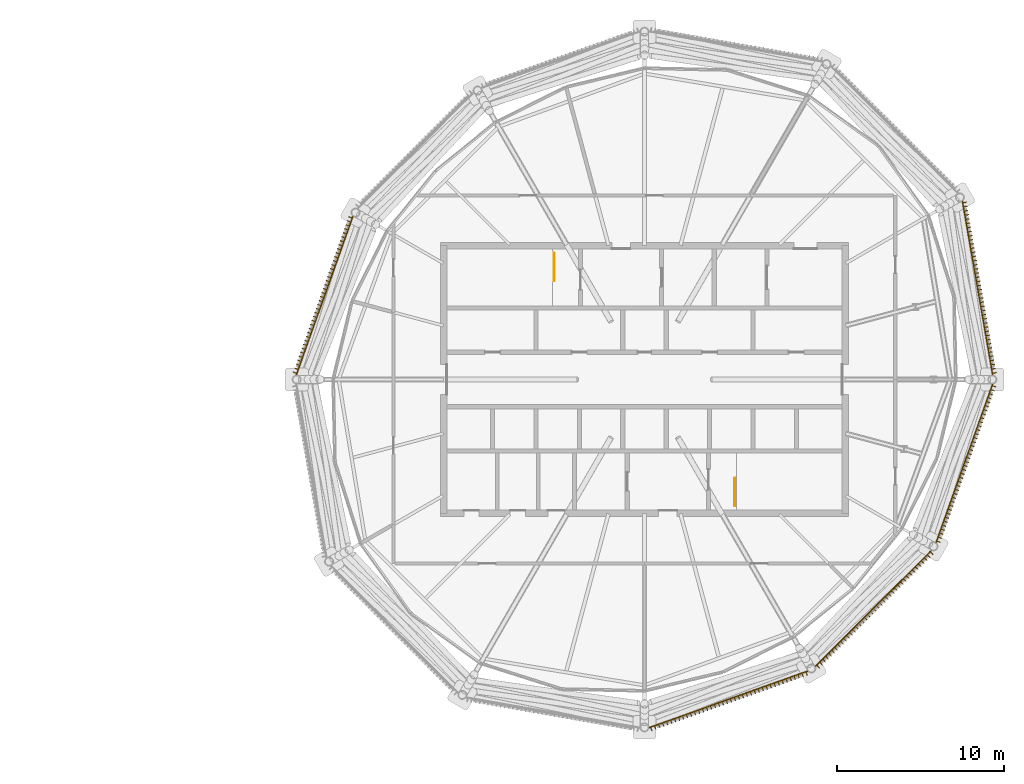
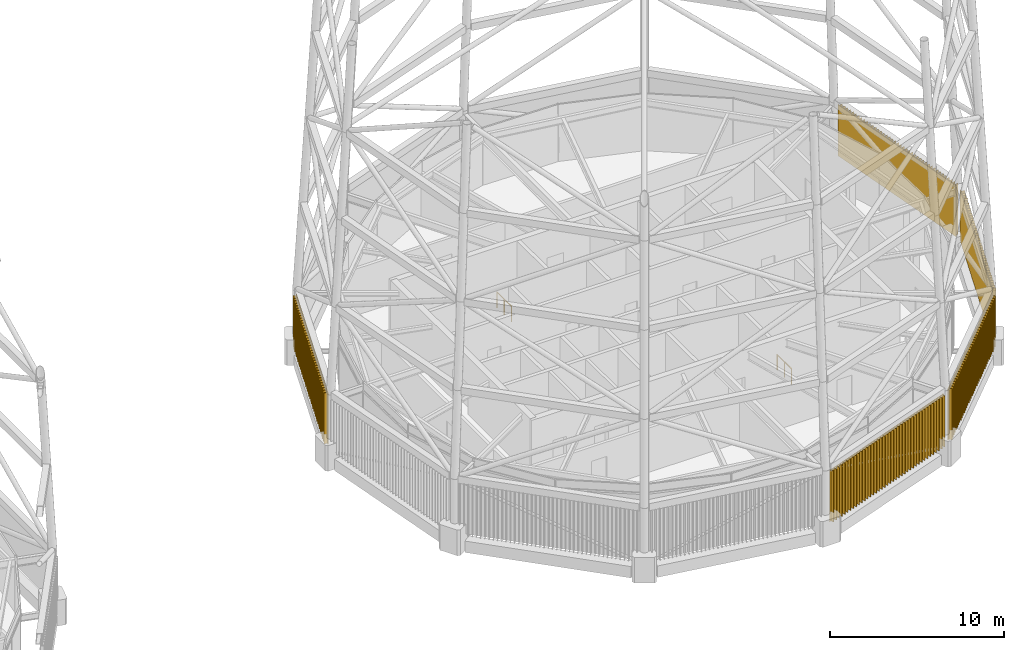
# One storey, part 70 of 71: 5 coverings, 2 railings.
"""IFC4 building model written with IfcOpenShell, lengths in metres."""

import ifcopenshell
import ifcopenshell.guid

model = None  # the IFC model being written
_history = None  # IfcOwnerHistory: only IFC2X3 demands one
_inside = {}  # id of a spatial element -> (the spatial element, [elements in it])
_under = {}  # id of a project, library or spatial element -> (it, [spatial elements below it])
_declared = {}  # id of a project -> (the project, [libraries it declares])
_typed = {}  # id of a type object -> (the type object, [elements of that type])
_made_of = {}  # id of a material, layer set ... -> (it, [elements and type objects made of it])


def new_model(schema):
    """Start an empty IFC model of exactly this schema.

    Asked for "IFC4X3", IfcOpenShell would pick the latest addendum, in which some entities
    have other attributes; the version numbers below select the first issue.
    IFC2X3 requires an IfcOwnerHistory on every rooted entity: one is made here for all.
    """
    global model, _history
    if schema == "IFC4X3":
        model = ifcopenshell.file(schema_version=(4, 3, 0, 0))
    else:
        model = ifcopenshell.file(schema=schema)
    _inside.clear()
    _under.clear()
    _declared.clear()
    _typed.clear()
    _made_of.clear()
    _history = None
    if model.schema == "IFC2X3":
        org = make("IfcOrganization", Name="unknown")
        user = make(
            "IfcPersonAndOrganization",
            ThePerson=make("IfcPerson", FamilyName="unknown"),
            TheOrganization=org,
        )
        app = make(
            "IfcApplication",
            ApplicationDeveloper=org,
            Version="unknown",
            ApplicationFullName="unknown",
            ApplicationIdentifier="unknown",
        )
        _history = make(
            "IfcOwnerHistory",
            OwningUser=user,
            OwningApplication=app,
            ChangeAction="ADDED",
            CreationDate=0,
        )
    return model


def make(cls, **values):
    """One entity of the class cls with the attributes given. An attribute that is None is left unset."""
    return model.create_entity(
        cls, **{name: value for name, value in values.items() if value is not None}
    )


def rooted(cls, **values):
    """An entity with a GlobalId (a new one), such as an element, a storey or a relation."""
    return make(cls, GlobalId=ifcopenshell.guid.new(), OwnerHistory=_history, **values)


def si_unit(unit_type, name, prefix=None):
    """IfcSIUnit, for example si_unit("LENGTHUNIT", "METRE", prefix="MILLI")."""
    return make("IfcSIUnit", UnitType=unit_type, Prefix=prefix, Name=name)


def assignment(units):
    """IfcUnitAssignment: the units of a project."""
    return None if units is None else make("IfcUnitAssignment", Units=units)


def point(xyz):
    """IfcCartesianPoint."""
    return None if xyz is None else make("IfcCartesianPoint", Coordinates=xyz)


def direction(xyz):
    """IfcDirection."""
    return None if xyz is None else make("IfcDirection", DirectionRatios=xyz)


def frame(location, z_axis=None, x_axis=None):
    """IfcAxis2Placement3D, a coordinate frame: its origin and axes. An axis left out is left unset."""
    return make(
        "IfcAxis2Placement3D",
        Location=point(location),
        Axis=direction(z_axis),
        RefDirection=direction(x_axis),
    )


def frame_2d(location, x_axis=None):
    """IfcAxis2Placement2D, a coordinate frame in the plane: its origin and x axis."""
    return make(
        "IfcAxis2Placement2D", Location=point(location), RefDirection=direction(x_axis)
    )


def origin():
    """The frame at (0, 0, 0) with its axes left unset."""
    return frame((0.0, 0.0, 0.0))


def origin_2d():
    """The frame at (0, 0) in the plane with its x axis left unset."""
    return frame_2d((0.0, 0.0))


def place(relative_to, where):
    """IfcLocalPlacement: puts the frame where relative to a parent placement (None: the world)."""
    return make(
        "IfcLocalPlacement", PlacementRelTo=relative_to, RelativePlacement=where
    )


def context(
    kind, dimensions, precision=None, world=None, true_north=None, identifier=None
):
    """IfcGeometricRepresentationContext, for example the 3D "Model" context."""
    return make(
        "IfcGeometricRepresentationContext",
        ContextIdentifier=identifier,
        ContextType=kind,
        CoordinateSpaceDimension=dimensions,
        Precision=precision,
        WorldCoordinateSystem=world,
        TrueNorth=true_north,
    )


def subcontext(parent, identifier, kind, view, scale=None):
    """IfcGeometricRepresentationSubContext, for example "Body" below "Model"."""
    return make(
        "IfcGeometricRepresentationSubContext",
        ContextIdentifier=identifier,
        ContextType=kind,
        ParentContext=parent,
        TargetScale=scale,
        TargetView=view,
    )


def project(units=None, contexts=None):
    """IfcProject with its units and contexts."""
    return rooted(
        "IfcProject",
        Name="project",
        RepresentationContexts=contexts,
        UnitsInContext=assignment(units),
    )


def spatial(cls, under=None, at=None, **own):
    """A site, building, storey or space (cls), placed at a placement, below another one or the project."""
    s = rooted(cls, ObjectPlacement=at, **own)
    if under is not None:
        _under.setdefault(under.id(), (under, []))[1].append(s)
    return s


def polyline(points):
    """IfcPolyline through the points."""
    return make("IfcPolyline", Points=[point(p) for p in points])


def profile(cls, at=None, kind="AREA", **sizes):
    """A parametric profile (cls). Its sizes go by their IFC names, for example OverallWidth=200.0."""
    return make(cls, ProfileType=kind, Position=at, **sizes)


def circle(**sizes):
    """IfcCircleProfileDef."""
    return profile("IfcCircleProfileDef", **sizes)


def outline(outer, holes=None, kind="AREA"):
    """IfcArbitraryClosedProfileDef: a profile drawn as a closed curve; with holes, ...WithVoids."""
    if holes is None:
        return make("IfcArbitraryClosedProfileDef", ProfileType=kind, OuterCurve=outer)
    return make(
        "IfcArbitraryProfileDefWithVoids",
        ProfileType=kind,
        OuterCurve=outer,
        InnerCurves=holes,
    )


def extrude(swept, where, along, depth):
    """IfcExtrudedAreaSolid: the profile swept, set in the frame where, extruded along a direction by depth."""
    return make(
        "IfcExtrudedAreaSolid",
        SweptArea=swept,
        Position=where,
        ExtrudedDirection=direction(along),
        Depth=depth,
    )


def shape(context_of_items, identifier, shape_type, items):
    """IfcShapeRepresentation: the items that make up one representation, for example the "Body"."""
    return make(
        "IfcShapeRepresentation",
        ContextOfItems=context_of_items,
        RepresentationIdentifier=identifier,
        RepresentationType=shape_type,
        Items=items,
    )


def material(Name=None, Category=None):
    """IfcMaterial."""
    return make("IfcMaterial", Name=Name, Category=Category)


def made_of(thing, what):
    """Note that an element or type object is made of a material, layer set ...; save() writes the relation."""
    if what is not None:
        _made_of.setdefault(what.id(), (what, []))[1].append(thing)
    return thing


def type_object(cls, material=None, **own):
    """A type object (cls), such as IfcWallType, which elements share."""
    return made_of(rooted(cls, **own), material)


def element(
    cls,
    number,
    at=None,
    inside=None,
    cuts=None,
    type_object=None,
    material=None,
    context=None,
    identifier="Body",
    shape_type=None,
    held_by="IfcProductDefinitionShape",
    body=None,
    shapes=None,
    **own,
):
    """One element of the class cls, such as IfcWall. Its Tag is "e" and its number.

    at: its placement. inside: the storey or other place that contains it. cuts: it is an
    opening in that element (IfcRelVoidsElement). A single representation is given by context,
    identifier, shape_type and body (its items); several are given by shapes. held_by: the class
    of the entity that holds the representations. save() writes the other relations.
    """
    e = rooted(cls, Tag="e%d" % number, ObjectPlacement=at, **own)
    if body is not None:
        shapes = [shape(context, identifier, shape_type, body)]
    if shapes is not None:
        e.Representation = make(held_by, Representations=shapes)
    if inside is not None:
        _inside.setdefault(inside.id(), (inside, []))[1].append(e)
    if cuts is not None:
        rooted(
            "IfcRelVoidsElement", RelatingBuildingElement=cuts, RelatedOpeningElement=e
        )
    if type_object is not None:
        _typed.setdefault(type_object.id(), (type_object, []))[1].append(e)
    return made_of(e, material)


def aggregate(whole, parts):
    """IfcRelAggregates: a whole, such as a stair, and the parts it consists of."""
    return rooted("IfcRelAggregates", RelatingObject=whole, RelatedObjects=parts)


def save(model, path):
    """Write the relations noted so far, then the file.

    IfcRelAggregates (storeys below a building ...), IfcRelContainedInSpatialStructure (elements
    in a storey), IfcRelDefinesByType, IfcRelAssociatesMaterial and IfcRelDeclares: one each for
    every whole, place, type object, material and project.
    """
    for whole, parts in _under.values():
        aggregate(whole, parts)
    for where, things in _inside.values():
        rooted(
            "IfcRelContainedInSpatialStructure",
            RelatedElements=things,
            RelatingStructure=where,
        )
    for kind, things in _typed.values():
        rooted("IfcRelDefinesByType", RelatedObjects=things, RelatingType=kind)
    for what, things in _made_of.values():
        rooted("IfcRelAssociatesMaterial", RelatedObjects=things, RelatingMaterial=what)
    for by, libraries in _declared.values():
        rooted("IfcRelDeclares", RelatingContext=by, RelatedDefinitions=libraries)
    model.write(path)


model = new_model("IFC4")

# Units and contexts
model_context = context("Model", 3, precision=1e-05, world=origin(), true_north=direction((0.0, 1.0)))
body_context = subcontext(model_context, "Body", "Model", "MODEL_VIEW")
ifc_project = project(units=[si_unit("LENGTHUNIT", "METRE"), si_unit("AREAUNIT", "SQUARE_METRE"), si_unit("VOLUMEUNIT", "CUBIC_METRE"), si_unit("PLANEANGLEUNIT", "RADIAN"), si_unit("MASSUNIT", "GRAM", prefix="KILO")], contexts=[model_context])

# Site, building, storey
site_placement = place(None, origin())
site = spatial("IfcSite", under=ifc_project, at=site_placement, CompositionType="ELEMENT")
building_placement = place(site_placement, origin())
building = spatial("IfcBuilding", under=site, at=building_placement, Name="Rimbun Link Towers", CompositionType="ELEMENT")
storey_placement = place(building_placement, frame((0.0, 0.0, 267.60009765625)))
storey = spatial("IfcBuildingStorey", under=building, at=storey_placement, Name="L65", CompositionType="ELEMENT", Elevation=267.60009765625)

# Railings
ifc_material_1 = material(Name="Stainless steel grade 316", Category="steel")
railing_type = type_object("IfcRailingType", Name="Stair guard", PredefinedType="GUARDRAIL", material=ifc_material_1)
railing_1_placement = place(storey_placement, frame((26.35009765625, 7.550048828125, 0.0)))
element("IfcRailing", 1, at=railing_1_placement, inside=storey, type_object=railing_type, Name="L65 ST3 top well guard 1", PredefinedType="GUARDRAIL", context=body_context, shape_type="SweptSolid", body=[
    extrude(circle(Radius=0.02392578125, at=origin_2d()), frame((0.0, 0.0, 1.076171875), z_axis=(0.0, -1.0, 0.0), x_axis=(1.0, 0.0, 0.0)), (0.0, 0.0, 1.0), 1.650146484375),
    extrude(circle(Radius=0.02099609375, at=origin_2d()), origin(), (0.0, 0.0, 1.0), 1.052001953125),
    extrude(circle(Radius=0.02099609375, at=origin_2d()), frame((0.0, -0.8251953125, 0.0)), (0.0, 0.0, 1.0), 1.052001953125),
    extrude(circle(Radius=0.02099609375, at=origin_2d()), frame((0.0, -1.650146484375, 0.0)), (0.0, 0.0, 1.0), 1.052001953125),
])
railing_2_placement = place(storey_placement, frame((37.14990234375, -7.550048828125, 0.0)))
element("IfcRailing", 2, at=railing_2_placement, inside=storey, type_object=railing_type, Name="L65 ST4 top well guard 1", PredefinedType="GUARDRAIL", context=body_context, shape_type="SweptSolid", body=[
    extrude(circle(Radius=0.02392578125, at=origin_2d()), frame((0.0, 0.0, 1.076171875), z_axis=(0.0, 1.0, 0.0), x_axis=(-1.0, 0.0, 0.0)), (0.0, 0.0, 1.0), 1.650146484375),
    extrude(circle(Radius=0.02099609375, at=origin_2d()), origin(), (0.0, 0.0, 1.0), 1.052001953125),
    extrude(circle(Radius=0.02099609375, at=origin_2d()), frame((0.0, 0.8251953125, 0.0)), (0.0, 0.0, 1.0), 1.052001953125),
    extrude(circle(Radius=0.02099609375, at=origin_2d()), frame((0.0, 1.650146484375, 0.0)), (0.0, 0.0, 1.0), 1.052001953125),
])

# Coverings
ifc_material_2 = material(Name="Terracotta", Category="masonry")
covering_type = type_object("IfcCoveringType", Name="TERRACOTTA CLADDING screen fins", PredefinedType="CLADDING", material=ifc_material_2)
covering_1_placement = place(storey_placement, frame((0.0, 0.0, 0.2119140625)))
element("IfcCovering", 3, at=covering_1_placement, inside=storey, type_object=covering_type, Name="TERRACOTTA CLADDING screen", PredefinedType="CLADDING", context=body_context, shape_type="SweptSolid", body=[
    extrude(outline(polyline([(14.305419921875, 9.7783203125), (14.267822265625, 9.673583984375), (14.07958984375, 9.74072265625), (14.0693359375, 9.71240234375), (14.2578125, 9.645263671875), (14.182861328125, 9.435302734375), (13.994384765625, 9.502685546875), (13.984375, 9.474365234375), (14.1728515625, 9.4072265625), (14.097900390625, 9.197265625), (13.909423828125, 9.264404296875), (13.8994140625, 9.236328125), (14.087890625, 9.1689453125), (14.012939453125, 8.959228515625), (13.82470703125, 9.0263671875), (13.814453125, 8.998046875), (14.002685546875, 8.930908203125), (13.927978515625, 8.72119140625), (13.739501953125, 8.788330078125), (13.7294921875, 8.760009765625), (13.91796875, 8.69287109375), (13.843017578125, 8.48291015625), (13.654541015625, 8.55029296875), (13.64453125, 8.52197265625), (13.8330078125, 8.45458984375), (13.758056640625, 8.244873046875), (13.569580078125, 8.31201171875), (13.5595703125, 8.28369140625), (13.747802734375, 8.216552734375), (13.673095703125, 8.006591796875), (13.484619140625, 8.073974609375), (13.474609375, 8.045654296875), (13.6630859375, 7.978515625), (13.588134765625, 7.7685546875), (13.399658203125, 7.835693359375), (13.3896484375, 7.8076171875), (13.577880859375, 7.740478515625), (13.503173828125, 7.530517578125), (13.314697265625, 7.59765625), (13.3046875, 7.569580078125), (13.492919921875, 7.502197265625), (13.418212890625, 7.29248046875), (13.229736328125, 7.359619140625), (13.2197265625, 7.331298828125), (13.407958984375, 7.26416015625), (13.3330078125, 7.05419921875), (13.144775390625, 7.12158203125), (13.134765625, 7.09326171875), (13.322998046875, 7.02587890625), (13.248291015625, 6.816162109375), (13.059814453125, 6.88330078125), (13.0498046875, 6.85498046875), (13.238037109375, 6.787841796875), (13.1630859375, 6.578125), (12.974853515625, 6.645263671875), (12.96484375, 6.616943359375), (13.153076171875, 6.5498046875), (13.078125, 6.340087890625), (12.889892578125, 6.4072265625), (12.8798828125, 6.37890625), (13.068115234375, 6.311767578125), (12.993408203125, 6.101806640625), (12.804931640625, 6.169189453125), (12.794921875, 6.140869140625), (12.983154296875, 6.073486328125), (12.908203125, 5.86376953125), (12.719970703125, 5.930908203125), (12.709716796875, 5.902587890625), (12.898193359375, 5.83544921875), (12.8232421875, 5.62548828125), (12.635009765625, 5.69287109375), (12.625, 5.66455078125), (12.813232421875, 5.597412109375), (12.73828125, 5.387451171875), (12.550048828125, 5.45458984375), (12.539794921875, 5.426513671875), (12.728271484375, 5.359375), (12.6533203125, 5.1494140625), (12.465087890625, 5.216552734375), (12.454833984375, 5.1884765625), (12.643310546875, 5.12109375), (12.568359375, 4.911376953125), (12.3798828125, 4.978515625), (12.3701171875, 4.9501953125), (12.558349609375, 4.883056640625), (12.4833984375, 4.673095703125), (12.295166015625, 4.740478515625), (12.284912109375, 4.712158203125), (12.473388671875, 4.64501953125), (12.3984375, 4.43505859375), (12.210205078125, 4.502197265625), (12.199951171875, 4.47412109375), (12.388427734375, 4.40673828125), (12.3134765625, 4.197021484375), (12.125, 4.26416015625), (12.114990234375, 4.23583984375), (12.303466796875, 4.168701171875), (12.228515625, 3.958740234375), (12.0400390625, 4.026123046875), (12.030029296875, 3.997802734375), (12.218505859375, 3.9306640625), (12.1435546875, 3.720703125), (11.955078125, 3.7880859375), (11.945068359375, 3.759765625), (12.133544921875, 3.6923828125), (12.05859375, 3.482666015625), (11.8701171875, 3.5498046875), (11.860107421875, 3.521484375), (12.048583984375, 3.454345703125), (11.9736328125, 3.244384765625), (11.78515625, 3.311767578125), (11.775146484375, 3.283447265625), (11.96337890625, 3.21630859375), (11.888671875, 3.00634765625), (11.7001953125, 3.073486328125), (11.690185546875, 3.04541015625), (11.87841796875, 2.978271484375), (11.8037109375, 2.768310546875), (11.615234375, 2.83544921875), (11.605224609375, 2.807373046875), (11.793701171875, 2.739990234375), (11.71875, 2.5302734375), (11.5302734375, 2.597412109375), (11.520263671875, 2.569091796875), (11.70849609375, 2.501953125), (11.6337890625, 2.2919921875), (11.4453125, 2.359375), (11.435302734375, 2.3310546875), (11.62353515625, 2.263916015625), (11.548583984375, 2.053955078125), (11.3603515625, 2.12109375), (11.350341796875, 2.093017578125), (11.538818359375, 2.025634765625), (11.4638671875, 1.81591796875), (11.275390625, 1.883056640625), (11.265380859375, 1.854736328125), (11.45361328125, 1.78759765625), (11.37890625, 1.57763671875), (11.1904296875, 1.64501953125), (11.180419921875, 1.61669921875), (11.36865234375, 1.549560546875), (11.293701171875, 1.339599609375), (11.10546875, 1.40673828125), (11.095458984375, 1.378662109375), (11.28369140625, 1.311279296875), (11.208984375, 1.1015625), (11.0205078125, 1.168701171875), (11.010498046875, 1.140380859375), (11.19873046875, 1.0732421875), (11.123779296875, 0.86328125), (10.935546875, 0.9306640625), (10.92529296875, 0.90234375), (11.11376953125, 0.835205078125), (11.038818359375, 0.625244140625), (10.8505859375, 0.6923828125), (10.840576171875, 0.664306640625), (11.02880859375, 0.596923828125), (10.953857421875, 0.38720703125), (10.765625, 0.454345703125), (10.755615234375, 0.426025390625), (10.94384765625, 0.35888671875), (10.906494140625, 0.25390625), (10.95947265625, 0.25390625), (14.349365234375, 9.7529296875), (14.305419921875, 9.7783203125)])), origin(), (0.0, 0.0, 1.0), 3.575927734375),
])
covering_2_placement = place(storey_placement, frame((0.0, 0.0, 0.2119140625)))
element("IfcCovering", 4, at=covering_2_placement, inside=storey, type_object=covering_type, Name="TERRACOTTA CLADDING screen", PredefinedType="CLADDING", context=body_context, shape_type="SweptSolid", body=[
    extrude(outline(polyline([(32.00390625, -20.843505859375), (32.10888671875, -20.80615234375), (32.176025390625, -20.994384765625), (32.204345703125, -20.984375), (32.13720703125, -20.796142578125), (32.346923828125, -20.72119140625), (32.414306640625, -20.909423828125), (32.4423828125, -20.8994140625), (32.375244140625, -20.711181640625), (32.585205078125, -20.63623046875), (32.65234375, -20.82470703125), (32.6806640625, -20.814453125), (32.61328125, -20.626220703125), (32.8232421875, -20.55126953125), (32.890380859375, -20.739501953125), (32.918701171875, -20.7294921875), (32.8515625, -20.541015625), (33.061279296875, -20.46630859375), (33.128662109375, -20.654541015625), (33.15673828125, -20.64453125), (33.089599609375, -20.456298828125), (33.299560546875, -20.38134765625), (33.36669921875, -20.569580078125), (33.39501953125, -20.5595703125), (33.32763671875, -20.37109375), (33.53759765625, -20.29638671875), (33.604736328125, -20.484619140625), (33.633056640625, -20.474609375), (33.56591796875, -20.2861328125), (33.775634765625, -20.211181640625), (33.843017578125, -20.399658203125), (33.87109375, -20.3896484375), (33.803955078125, -20.201416015625), (34.013916015625, -20.12646484375), (34.0810546875, -20.314697265625), (34.109375, -20.3046875), (34.0419921875, -20.1162109375), (34.251953125, -20.04150390625), (34.319091796875, -20.229736328125), (34.347412109375, -20.2197265625), (34.2802734375, -20.03125), (34.489990234375, -19.956298828125), (34.557373046875, -20.144775390625), (34.58544921875, -20.134765625), (34.518310546875, -19.9462890625), (34.728271484375, -19.87158203125), (34.79541015625, -20.059814453125), (34.823486328125, -20.0498046875), (34.75634765625, -19.861328125), (34.96630859375, -19.78662109375), (35.033447265625, -19.974853515625), (35.061767578125, -19.96484375), (34.994384765625, -19.7763671875), (35.204345703125, -19.701416015625), (35.271484375, -19.889892578125), (35.2998046875, -19.8798828125), (35.232666015625, -19.69140625), (35.4423828125, -19.616455078125), (35.509765625, -19.804931640625), (35.5380859375, -19.794921875), (35.470703125, -19.6064453125), (35.6806640625, -19.531494140625), (35.747802734375, -19.719970703125), (35.776123046875, -19.7099609375), (35.708740234375, -19.521484375), (35.918701171875, -19.446533203125), (35.98583984375, -19.635009765625), (36.01416015625, -19.625), (35.947021484375, -19.4365234375), (36.15673828125, -19.361572265625), (36.22412109375, -19.550048828125), (36.252197265625, -19.539794921875), (36.18505859375, -19.3515625), (36.39501953125, -19.276611328125), (36.462158203125, -19.465087890625), (36.490478515625, -19.454833984375), (36.423095703125, -19.2666015625), (36.633056640625, -19.191650390625), (36.7001953125, -19.3798828125), (36.728515625, -19.3701171875), (36.661376953125, -19.181640625), (36.87109375, -19.106689453125), (36.9384765625, -19.295166015625), (36.966552734375, -19.284912109375), (36.8994140625, -19.0966796875), (37.109375, -19.021728515625), (37.176513671875, -19.210205078125), (37.20458984375, -19.199951171875), (37.137451171875, -19.01171875), (37.347412109375, -18.936767578125), (37.41455078125, -19.125), (37.44287109375, -19.114990234375), (37.37548828125, -18.9267578125), (37.58544921875, -18.851806640625), (37.652587890625, -19.040283203125), (37.680908203125, -19.030029296875), (37.61376953125, -18.841796875), (37.823486328125, -18.766845703125), (37.890869140625, -18.955078125), (37.919189453125, -18.945068359375), (37.851806640625, -18.756591796875), (38.061767578125, -18.681884765625), (38.12890625, -18.8701171875), (38.1572265625, -18.860107421875), (38.090087890625, -18.671875), (38.2998046875, -18.596923828125), (38.366943359375, -18.78515625), (38.395263671875, -18.775146484375), (38.328125, -18.5869140625), (38.537841796875, -18.511962890625), (38.60498046875, -18.7001953125), (38.63330078125, -18.690185546875), (38.566162109375, -18.501708984375), (38.77587890625, -18.427001953125), (38.84326171875, -18.615234375), (38.87158203125, -18.605224609375), (38.80419921875, -18.4169921875), (39.01416015625, -18.342041015625), (39.081298828125, -18.5302734375), (39.109619140625, -18.520263671875), (39.04248046875, -18.331787109375), (39.252197265625, -18.257080078125), (39.319580078125, -18.4453125), (39.34765625, -18.435302734375), (39.280517578125, -18.246826171875), (39.490478515625, -18.172119140625), (39.5576171875, -18.3603515625), (39.585693359375, -18.350341796875), (39.5185546875, -18.161865234375), (39.728515625, -18.0869140625), (39.795654296875, -18.275390625), (39.823974609375, -18.265380859375), (39.756591796875, -18.076904296875), (39.966552734375, -18.002197265625), (40.03369140625, -18.1904296875), (40.06201171875, -18.180419921875), (39.994873046875, -17.991943359375), (40.20458984375, -17.9169921875), (40.27197265625, -18.10546875), (40.30029296875, -18.095458984375), (40.23291015625, -17.906982421875), (40.44287109375, -17.83203125), (40.510009765625, -18.0205078125), (40.538330078125, -18.010498046875), (40.47119140625, -17.822021484375), (40.680908203125, -17.747314453125), (40.748046875, -17.935546875), (40.7763671875, -17.92529296875), (40.709228515625, -17.737060546875), (40.9189453125, -17.662109375), (40.986328125, -17.8505859375), (41.014404296875, -17.840576171875), (40.947265625, -17.652099609375), (41.1572265625, -17.5771484375), (41.224365234375, -17.765625), (41.252685546875, -17.755615234375), (41.185302734375, -17.567138671875), (41.395263671875, -17.4921875), (41.46240234375, -17.6806640625), (41.49072265625, -17.67041015625), (41.423583984375, -17.482177734375), (41.5283203125, -17.444580078125), (41.5029296875, -17.400634765625), (32.00390625, -20.79052734375), (32.00390625, -20.843505859375)])), origin(), (0.0, 0.0, 1.0), 3.575927734375),
])
covering_3_placement = place(storey_placement, frame((0.0, 0.0, 0.2119140625)))
element("IfcCovering", 5, at=covering_3_placement, inside=storey, type_object=covering_type, Name="TERRACOTTA CLADDING screen", PredefinedType="CLADDING", context=body_context, shape_type="SweptSolid", body=[
    extrude(outline(polyline([(41.968994140625, -17.19140625), (42.047607421875, -17.11279296875), (42.189208984375, -17.254150390625), (42.210205078125, -17.23291015625), (42.06884765625, -17.091552734375), (42.226318359375, -16.93408203125), (42.367919921875, -17.075439453125), (42.38916015625, -17.05419921875), (42.24755859375, -16.91259765625), (42.4052734375, -16.755126953125), (42.546630859375, -16.896484375), (42.56787109375, -16.87548828125), (42.426513671875, -16.73388671875), (42.583984375, -16.576416015625), (42.725341796875, -16.7177734375), (42.74658203125, -16.696533203125), (42.605224609375, -16.55517578125), (42.7626953125, -16.397705078125), (42.904296875, -16.5390625), (42.92529296875, -16.517822265625), (42.783935546875, -16.37646484375), (42.941650390625, -16.21875), (43.0830078125, -16.360107421875), (43.104248046875, -16.339111328125), (42.962890625, -16.197509765625), (43.120361328125, -16.0400390625), (43.26171875, -16.181396484375), (43.282958984375, -16.16015625), (43.1416015625, -16.018798828125), (43.299072265625, -15.861083984375), (43.440673828125, -16.002685546875), (43.4619140625, -15.9814453125), (43.3203125, -15.840087890625), (43.477783203125, -15.682373046875), (43.619384765625, -15.823974609375), (43.640625, -15.802734375), (43.4990234375, -15.6611328125), (43.65673828125, -15.503662109375), (43.798095703125, -15.64501953125), (43.8193359375, -15.623779296875), (43.677978515625, -15.482421875), (43.83544921875, -15.324951171875), (43.976806640625, -15.46630859375), (43.998046875, -15.445068359375), (43.856689453125, -15.3037109375), (44.014404296875, -15.14599609375), (44.15576171875, -15.28759765625), (44.177001953125, -15.266357421875), (44.035400390625, -15.125), (44.193115234375, -14.96728515625), (44.33447265625, -15.108642578125), (44.355712890625, -15.08740234375), (44.21435546875, -14.946044921875), (44.371826171875, -14.78857421875), (44.51318359375, -14.929931640625), (44.534423828125, -14.90869140625), (44.39306640625, -14.767333984375), (44.55078125, -14.609619140625), (44.692138671875, -14.751220703125), (44.71337890625, -14.72998046875), (44.572021484375, -14.58837890625), (44.7294921875, -14.430908203125), (44.870849609375, -14.572509765625), (44.89208984375, -14.55126953125), (44.750732421875, -14.40966796875), (44.908203125, -14.252197265625), (45.049560546875, -14.3935546875), (45.07080078125, -14.372314453125), (44.929443359375, -14.23095703125), (45.0869140625, -14.073486328125), (45.228515625, -14.21484375), (45.24951171875, -14.193603515625), (45.108154296875, -14.05224609375), (45.265869140625, -13.89453125), (45.4072265625, -14.035888671875), (45.428466796875, -14.014892578125), (45.287109375, -13.873291015625), (45.444580078125, -13.7158203125), (45.5859375, -13.857177734375), (45.607177734375, -13.8359375), (45.4658203125, -13.694580078125), (45.623291015625, -13.537109375), (45.764892578125, -13.678466796875), (45.785888671875, -13.6572265625), (45.64453125, -13.515869140625), (45.80224609375, -13.358154296875), (45.943603515625, -13.49951171875), (45.96484375, -13.478515625), (45.823486328125, -13.3369140625), (45.98095703125, -13.179443359375), (46.122314453125, -13.32080078125), (46.1435546875, -13.299560546875), (46.002197265625, -13.158203125), (46.15966796875, -13.000732421875), (46.30126953125, -13.14208984375), (46.322509765625, -13.120849609375), (46.180908203125, -12.9794921875), (46.33837890625, -12.822021484375), (46.47998046875, -12.96337890625), (46.501220703125, -12.942138671875), (46.359619140625, -12.80078125), (46.517333984375, -12.64306640625), (46.65869140625, -12.784423828125), (46.679931640625, -12.76318359375), (46.53857421875, -12.621826171875), (46.696044921875, -12.46435546875), (46.83740234375, -12.605712890625), (46.858642578125, -12.58447265625), (46.71728515625, -12.443115234375), (46.875, -12.285400390625), (47.016357421875, -12.427001953125), (47.03759765625, -12.40576171875), (46.89599609375, -12.264404296875), (47.0537109375, -12.106689453125), (47.195068359375, -12.248046875), (47.21630859375, -12.226806640625), (47.074951171875, -12.08544921875), (47.232421875, -11.927978515625), (47.373779296875, -12.0693359375), (47.39501953125, -12.048095703125), (47.253662109375, -11.90673828125), (47.4111328125, -11.7490234375), (47.552734375, -11.890625), (47.573974609375, -11.869384765625), (47.432373046875, -11.727783203125), (47.590087890625, -11.5703125), (47.7314453125, -11.7119140625), (47.752685546875, -11.690673828125), (47.611083984375, -11.549072265625), (47.768798828125, -11.3916015625), (47.91015625, -11.532958984375), (47.931396484375, -11.51171875), (47.7900390625, -11.370361328125), (47.947509765625, -11.212890625), (48.089111328125, -11.354248046875), (48.110107421875, -11.3330078125), (47.96875, -11.191650390625), (48.12646484375, -11.033935546875), (48.267822265625, -11.17529296875), (48.2890625, -11.154296875), (48.147705078125, -11.0126953125), (48.30517578125, -10.855224609375), (48.446533203125, -10.99658203125), (48.4677734375, -10.975341796875), (48.326416015625, -10.833984375), (48.48388671875, -10.676513671875), (48.62548828125, -10.81787109375), (48.646484375, -10.796630859375), (48.505126953125, -10.6552734375), (48.66259765625, -10.49755859375), (48.80419921875, -10.63916015625), (48.825439453125, -10.617919921875), (48.68408203125, -10.476318359375), (48.841552734375, -10.31884765625), (48.98291015625, -10.460205078125), (49.004150390625, -10.439208984375), (48.86279296875, -10.297607421875), (48.94140625, -10.218994140625), (48.896728515625, -10.193115234375), (41.943115234375, -17.146728515625), (41.968994140625, -17.19140625)])), origin(), (0.0, 0.0, 1.0), 3.575927734375),
])
covering_4_placement = place(storey_placement, frame((0.0, 0.0, 0.2119140625)))
element("IfcCovering", 6, at=covering_4_placement, inside=storey, type_object=covering_type, Name="TERRACOTTA CLADDING screen", PredefinedType="CLADDING", context=body_context, shape_type="SweptSolid", body=[
    extrude(outline(polyline([(49.194580078125, -9.7783203125), (49.232177734375, -9.673583984375), (49.42041015625, -9.74072265625), (49.4306640625, -9.71240234375), (49.2421875, -9.645263671875), (49.317138671875, -9.435302734375), (49.505615234375, -9.502685546875), (49.515625, -9.474365234375), (49.3271484375, -9.4072265625), (49.402099609375, -9.197265625), (49.590576171875, -9.264404296875), (49.6005859375, -9.236328125), (49.412109375, -9.1689453125), (49.487060546875, -8.959228515625), (49.67529296875, -9.0263671875), (49.685546875, -8.998046875), (49.497314453125, -8.930908203125), (49.572021484375, -8.72119140625), (49.760498046875, -8.788330078125), (49.7705078125, -8.760009765625), (49.58203125, -8.69287109375), (49.656982421875, -8.48291015625), (49.845458984375, -8.55029296875), (49.85546875, -8.52197265625), (49.6669921875, -8.45458984375), (49.741943359375, -8.244873046875), (49.930419921875, -8.31201171875), (49.9404296875, -8.28369140625), (49.752197265625, -8.216552734375), (49.826904296875, -8.006591796875), (50.015380859375, -8.073974609375), (50.025390625, -8.045654296875), (49.8369140625, -7.978515625), (49.911865234375, -7.7685546875), (50.100341796875, -7.835693359375), (50.1103515625, -7.8076171875), (49.922119140625, -7.740478515625), (49.996826171875, -7.530517578125), (50.185302734375, -7.59765625), (50.1953125, -7.569580078125), (50.007080078125, -7.502197265625), (50.081787109375, -7.29248046875), (50.270263671875, -7.359619140625), (50.2802734375, -7.331298828125), (50.092041015625, -7.26416015625), (50.1669921875, -7.05419921875), (50.355224609375, -7.12158203125), (50.365234375, -7.09326171875), (50.177001953125, -7.02587890625), (50.251708984375, -6.816162109375), (50.440185546875, -6.88330078125), (50.4501953125, -6.85498046875), (50.261962890625, -6.787841796875), (50.3369140625, -6.578125), (50.525146484375, -6.645263671875), (50.53515625, -6.616943359375), (50.346923828125, -6.5498046875), (50.421875, -6.340087890625), (50.610107421875, -6.4072265625), (50.6201171875, -6.37890625), (50.431884765625, -6.311767578125), (50.506591796875, -6.101806640625), (50.695068359375, -6.169189453125), (50.705078125, -6.140869140625), (50.516845703125, -6.073486328125), (50.591796875, -5.86376953125), (50.780029296875, -5.930908203125), (50.790283203125, -5.902587890625), (50.601806640625, -5.83544921875), (50.6767578125, -5.62548828125), (50.864990234375, -5.69287109375), (50.875, -5.66455078125), (50.686767578125, -5.597412109375), (50.76171875, -5.387451171875), (50.949951171875, -5.45458984375), (50.960205078125, -5.426513671875), (50.771728515625, -5.359375), (50.8466796875, -5.1494140625), (51.034912109375, -5.216552734375), (51.045166015625, -5.1884765625), (50.856689453125, -5.12109375), (50.931640625, -4.911376953125), (51.1201171875, -4.978515625), (51.1298828125, -4.9501953125), (50.941650390625, -4.883056640625), (51.0166015625, -4.673095703125), (51.204833984375, -4.740478515625), (51.215087890625, -4.712158203125), (51.026611328125, -4.64501953125), (51.1015625, -4.43505859375), (51.289794921875, -4.502197265625), (51.300048828125, -4.47412109375), (51.111572265625, -4.40673828125), (51.1865234375, -4.197021484375), (51.375, -4.26416015625), (51.385009765625, -4.23583984375), (51.196533203125, -4.168701171875), (51.271484375, -3.958740234375), (51.4599609375, -4.026123046875), (51.469970703125, -3.997802734375), (51.281494140625, -3.9306640625), (51.3564453125, -3.720703125), (51.544921875, -3.7880859375), (51.554931640625, -3.759765625), (51.366455078125, -3.6923828125), (51.44140625, -3.482666015625), (51.6298828125, -3.5498046875), (51.639892578125, -3.521484375), (51.451416015625, -3.454345703125), (51.5263671875, -3.244384765625), (51.71484375, -3.311767578125), (51.724853515625, -3.283447265625), (51.53662109375, -3.21630859375), (51.611328125, -3.00634765625), (51.7998046875, -3.073486328125), (51.809814453125, -3.04541015625), (51.62158203125, -2.978271484375), (51.6962890625, -2.768310546875), (51.884765625, -2.83544921875), (51.894775390625, -2.807373046875), (51.706298828125, -2.739990234375), (51.78125, -2.5302734375), (51.9697265625, -2.597412109375), (51.979736328125, -2.569091796875), (51.79150390625, -2.501953125), (51.8662109375, -2.2919921875), (52.0546875, -2.359375), (52.064697265625, -2.3310546875), (51.87646484375, -2.263916015625), (51.951416015625, -2.053955078125), (52.1396484375, -2.12109375), (52.149658203125, -2.093017578125), (51.961181640625, -2.025634765625), (52.0361328125, -1.81591796875), (52.224609375, -1.883056640625), (52.234619140625, -1.854736328125), (52.04638671875, -1.78759765625), (52.12109375, -1.57763671875), (52.3095703125, -1.64501953125), (52.319580078125, -1.61669921875), (52.13134765625, -1.549560546875), (52.206298828125, -1.339599609375), (52.39453125, -1.40673828125), (52.404541015625, -1.378662109375), (52.21630859375, -1.311279296875), (52.291015625, -1.1015625), (52.4794921875, -1.168701171875), (52.489501953125, -1.140380859375), (52.30126953125, -1.0732421875), (52.376220703125, -0.86328125), (52.564453125, -0.9306640625), (52.57470703125, -0.90234375), (52.38623046875, -0.835205078125), (52.461181640625, -0.625244140625), (52.6494140625, -0.6923828125), (52.659423828125, -0.664306640625), (52.47119140625, -0.596923828125), (52.546142578125, -0.38720703125), (52.734375, -0.454345703125), (52.744384765625, -0.426025390625), (52.55615234375, -0.35888671875), (52.593505859375, -0.25390625), (52.54052734375, -0.25390625), (49.150634765625, -9.7529296875), (49.194580078125, -9.7783203125)])), origin(), (0.0, 0.0, 1.0), 3.575927734375),
])
covering_5_placement = place(storey_placement, frame((0.0, 0.0, 0.2119140625)))
element("IfcCovering", 7, at=covering_5_placement, inside=storey, type_object=covering_type, Name="TERRACOTTA CLADDING screen", PredefinedType="CLADDING", context=body_context, shape_type="SweptSolid", body=[
    extrude(outline(polyline([(52.59130859375, 0.25390625), (52.572265625, 0.363525390625), (52.769287109375, 0.397705078125), (52.76416015625, 0.42724609375), (52.567138671875, 0.39306640625), (52.529052734375, 0.612060546875), (52.72607421875, 0.646240234375), (52.720947265625, 0.67578125), (52.523681640625, 0.6416015625), (52.485595703125, 0.860595703125), (52.682861328125, 0.894775390625), (52.677490234375, 0.92431640625), (52.480712890625, 0.889892578125), (52.4423828125, 1.10888671875), (52.639404296875, 1.143310546875), (52.634521484375, 1.1728515625), (52.4375, 1.138427734375), (52.3994140625, 1.357421875), (52.59619140625, 1.391845703125), (52.59130859375, 1.42138671875), (52.39404296875, 1.386962890625), (52.35595703125, 1.60595703125), (52.552978515625, 1.640380859375), (52.5478515625, 1.669921875), (52.350830078125, 1.635498046875), (52.312744140625, 1.8544921875), (52.509765625, 1.888916015625), (52.504638671875, 1.918212890625), (52.3076171875, 1.884033203125), (52.26953125, 2.10302734375), (52.466552734375, 2.13720703125), (52.46142578125, 2.166748046875), (52.264404296875, 2.132568359375), (52.226318359375, 2.3515625), (52.42333984375, 2.3857421875), (52.418212890625, 2.415283203125), (52.22119140625, 2.381103515625), (52.18310546875, 2.60009765625), (52.380126953125, 2.63427734375), (52.375, 2.663818359375), (52.177978515625, 2.62939453125), (52.139892578125, 2.848388671875), (52.3369140625, 2.8828125), (52.331787109375, 2.912353515625), (52.134765625, 2.8779296875), (52.0966796875, 3.096923828125), (52.293701171875, 3.13134765625), (52.28857421875, 3.160888671875), (52.091552734375, 3.12646484375), (52.053466796875, 3.345458984375), (52.25048828125, 3.3798828125), (52.245361328125, 3.4091796875), (52.04833984375, 3.375), (52.01025390625, 3.593994140625), (52.207275390625, 3.62841796875), (52.2021484375, 3.65771484375), (52.0048828125, 3.62353515625), (51.966796875, 3.842529296875), (52.1640625, 3.876708984375), (52.15869140625, 3.90625), (51.9619140625, 3.8720703125), (51.923583984375, 4.091064453125), (52.12060546875, 4.125244140625), (52.115478515625, 4.15478515625), (51.918701171875, 4.12060546875), (51.880615234375, 4.339599609375), (52.077392578125, 4.373779296875), (52.072509765625, 4.4033203125), (51.875244140625, 4.369140625), (51.837158203125, 4.587890625), (52.0341796875, 4.622314453125), (52.029052734375, 4.65185546875), (51.83203125, 4.61767578125), (51.7939453125, 4.83642578125), (51.990966796875, 4.870849609375), (51.98583984375, 4.900390625), (51.788818359375, 4.8662109375), (51.750732421875, 5.0849609375), (51.94775390625, 5.119384765625), (51.942626953125, 5.148681640625), (51.74560546875, 5.114501953125), (51.70751953125, 5.33349609375), (51.904541015625, 5.367919921875), (51.8994140625, 5.397216796875), (51.702392578125, 5.363037109375), (51.664306640625, 5.58203125), (51.861328125, 5.6162109375), (51.856201171875, 5.645751953125), (51.6591796875, 5.611572265625), (51.62109375, 5.83056640625), (51.818115234375, 5.86474609375), (51.81298828125, 5.894287109375), (51.615966796875, 5.860107421875), (51.577880859375, 6.0791015625), (51.77490234375, 6.11328125), (51.769775390625, 6.142822265625), (51.57275390625, 6.108642578125), (51.53466796875, 6.327392578125), (51.731689453125, 6.36181640625), (51.7265625, 6.391357421875), (51.529296875, 6.357177734375), (51.491455078125, 6.575927734375), (51.6884765625, 6.6103515625), (51.683349609375, 6.639892578125), (51.486083984375, 6.605712890625), (51.447998046875, 6.824462890625), (51.645263671875, 6.85888671875), (51.639892578125, 6.88818359375), (51.443115234375, 6.85400390625), (51.40478515625, 7.072998046875), (51.601806640625, 7.107421875), (51.5966796875, 7.13671875), (51.399658203125, 7.1025390625), (51.36181640625, 7.321533203125), (51.55859375, 7.355712890625), (51.553466796875, 7.38525390625), (51.3564453125, 7.35107421875), (51.318359375, 7.570068359375), (51.515380859375, 7.604248046875), (51.51025390625, 7.6337890625), (51.313232421875, 7.599609375), (51.275146484375, 7.818603515625), (51.47216796875, 7.852783203125), (51.467041015625, 7.88232421875), (51.27001953125, 7.84814453125), (51.23193359375, 8.06689453125), (51.428955078125, 8.101318359375), (51.423828125, 8.130859375), (51.226806640625, 8.0966796875), (51.188720703125, 8.3154296875), (51.3857421875, 8.349853515625), (51.380615234375, 8.37939453125), (51.18359375, 8.34521484375), (51.1455078125, 8.56396484375), (51.342529296875, 8.598388671875), (51.33740234375, 8.6279296875), (51.140380859375, 8.593505859375), (51.102294921875, 8.8125), (51.29931640625, 8.8466796875), (51.294189453125, 8.87646484375), (51.09716796875, 8.842041015625), (51.05908203125, 9.06103515625), (51.256103515625, 9.09521484375), (51.2509765625, 9.125), (51.053955078125, 9.090576171875), (51.015869140625, 9.3095703125), (51.212890625, 9.34375), (51.207763671875, 9.373291015625), (51.010498046875, 9.339111328125), (50.972412109375, 9.55810546875), (51.169677734375, 9.59228515625), (51.164306640625, 9.621826171875), (50.96728515625, 9.587646484375), (50.92919921875, 9.806396484375), (51.126220703125, 9.8408203125), (51.12109375, 9.870361328125), (50.92431640625, 9.836181640625), (50.885986328125, 10.054931640625), (51.0830078125, 10.08935546875), (51.077880859375, 10.118896484375), (50.880859375, 10.084716796875), (50.8427734375, 10.303466796875), (51.039794921875, 10.337890625), (51.03466796875, 10.367431640625), (50.837646484375, 10.3330078125), (50.799560546875, 10.552001953125), (50.99658203125, 10.586181640625), (50.991455078125, 10.615966796875), (50.79443359375, 10.58154296875), (50.775390625, 10.691162109375), (50.729248046875, 10.664306640625), (52.54052734375, 0.25390625), (52.59130859375, 0.25390625)])), origin(), (0.0, 0.0, 1.0), 3.575927734375),
])

save(model, "model.ifc")
